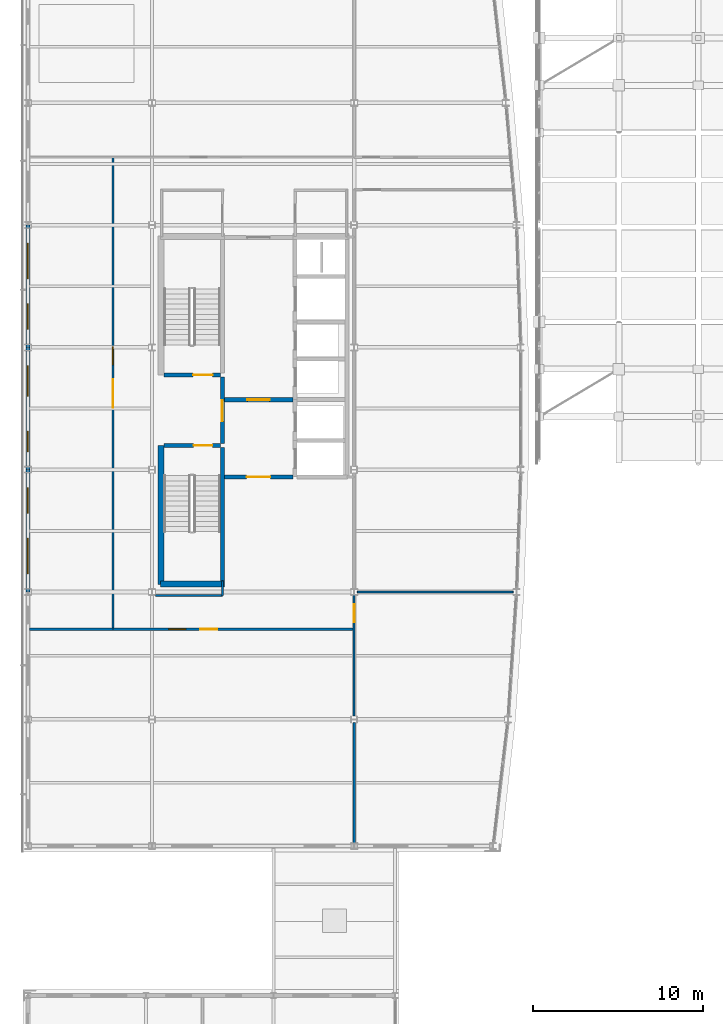
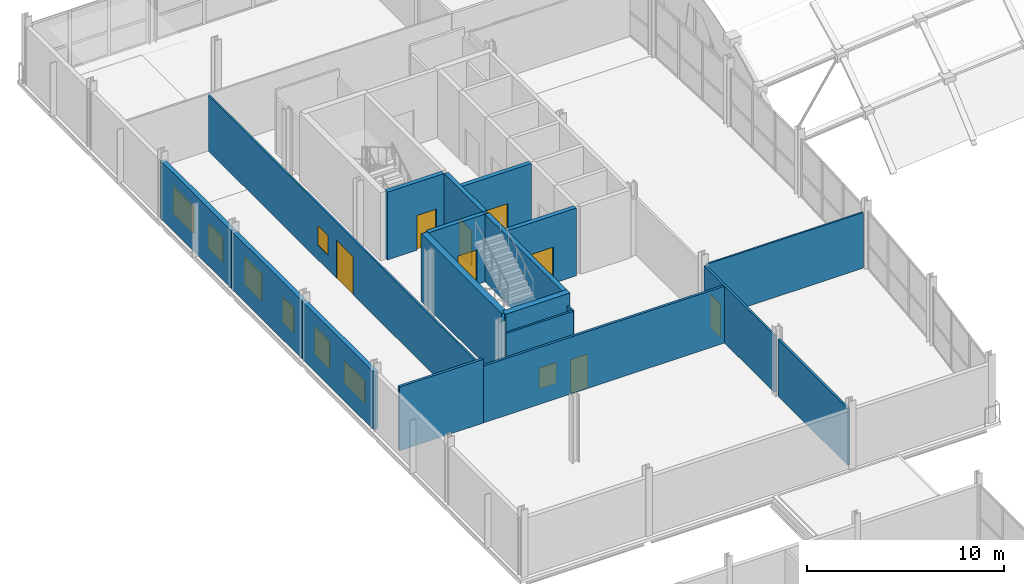
# One storey, part 54 of 65: 19 walls, 8 doors, 8 windows, 16 openings.
"""IFC4 building model written with IfcOpenShell, lengths in metres."""

from ifc_helpers import new_model, si_unit, direction, frame, frame_2d, origin, place, context, subcontext, project, spatial, rectangle, extrude, material, layer, layer_set, type_object, element, fill, save


model = new_model("IFC4")

# Units and contexts
model_context = context("Model", 3, precision=1e-05, world=origin(), true_north=direction((0.0, 1.0)))
body_context = subcontext(model_context, "Body", "Model", "MODEL_VIEW")
ifc_project = project(units=[si_unit("LENGTHUNIT", "METRE"), si_unit("AREAUNIT", "SQUARE_METRE"), si_unit("VOLUMEUNIT", "CUBIC_METRE"), si_unit("PLANEANGLEUNIT", "RADIAN"), si_unit("MASSUNIT", "GRAM", prefix="KILO")], contexts=[model_context])

# Site, building, storey
site_placement = place(None, origin())
site = spatial("IfcSite", under=ifc_project, at=site_placement, CompositionType="ELEMENT")
building_placement = place(site_placement, origin())
building = spatial("IfcBuilding", under=site, at=building_placement, Name="Quillay Park Conservatory", CompositionType="ELEMENT")
storey_placement = place(building_placement, frame((0.0, 0.0, 14.10009765625)))
storey = spatial("IfcBuildingStorey", under=building, at=storey_placement, Name="L03", CompositionType="ELEMENT", Elevation=14.10009765625)

# Wall
ifc_material_1 = material(Name="Steel-Stud Acoustic Gypsum Board Partition", Category="steel")
ifc_layer_1 = layer(ifc_material_1, 0.10009765625)
ifc_layer_set_1 = layer_set([ifc_layer_1], Name="ACOUSTIC GYPSUM PARTITION 100 (Steel-Stud Acoustic Gypsum Board Partition)")
wall_type_1 = type_object("IfcWallType", Name="ACOUSTIC GYPSUM PARTITION 100", PredefinedType="PARTITIONING", material=ifc_layer_set_1)
wall_1_placement = place(storey_placement, frame((29.107421875, 78.0, 0.0), z_axis=(0.0, 0.0, 1.0), x_axis=(-1.0, 0.0, 0.0)))
element("IfcWall", 1, at=wall_1_placement, inside=storey, type_object=wall_type_1, Name="L03 East Strip South Wall", PredefinedType="PARTITIONING", context=body_context, shape_type="SweptSolid", body=[
    extrude(rectangle(XDim=9.1650390625, YDim=0.10009765625, at=frame_2d((4.58251953125, 0.0))), origin(), (0.0, 0.0, 1.0), 3.450927734375),
])

# Wall, openings, window, door
ifc_material_2 = material(Name="Steel-Stud Acoustic Gypsum Board Partition", Category="steel")
ifc_layer_2 = layer(ifc_material_2, 0.10498046875)
ifc_layer_set_2 = layer_set([ifc_layer_2], Name="ACOUSTIC GYPSUM PARTITION 105 (Steel-Stud Acoustic Gypsum Board Partition)")
wall_type_2 = type_object("IfcWallType", Name="ACOUSTIC GYPSUM PARTITION 105", PredefinedType="PARTITIONING", material=ifc_layer_set_2)
wall_2_placement = place(storey_placement, frame((5.550048828125, 75.800048828125, 0.0), z_axis=(0.0, 0.0, 1.0), x_axis=(0.0, 1.0, 0.0)))
wall_2 = element("IfcWall", 2, at=wall_2_placement, inside=storey, type_object=wall_type_2, Name="L03 Phytochemistry Researcher Write-Up Studio Corridor Wall", PredefinedType="PARTITIONING", context=body_context, shape_type="SweptSolid", body=[
    extrude(rectangle(XDim=27.800048828125, YDim=0.10498046875, at=frame_2d((13.89990234375, 0.0))), origin(), (0.0, 0.0, 1.0), 3.450927734375),
])
opening_1_placement = place(wall_2_placement, frame((13.06005859375, 0.0, 0.0)))
opening_1 = element("IfcOpeningElement", 3, at=opening_1_placement, cuts=wall_2, Name="Opening D-RM38", PredefinedType="OPENING", context=body_context, shape_type="SweptSolid", body=[
    extrude(rectangle(XDim=1.679931640625, YDim=2.35009765625, at=frame_2d((0.83984375, 1.175048828125))), frame((0.0, 0.052490234375, 0.0), z_axis=(0.0, -1.0, 0.0), x_axis=(1.0, 0.0, 0.0)), (0.0, 0.0, 1.0), 0.10498046875),
])
opening_2_placement = place(wall_2_placement, frame((15.590087890625, 0.0, 0.919921875)))
opening_2 = element("IfcOpeningElement", 4, at=opening_2_placement, cuts=wall_2, Name="Opening W-IN06", PredefinedType="OPENING", context=body_context, shape_type="SweptSolid", body=[
    extrude(rectangle(XDim=1.050048828125, YDim=1.199951171875, at=frame_2d((0.52490234375, 0.60009765625))), frame((0.0, 0.052490234375, 0.0), z_axis=(0.0, -1.0, 0.0), x_axis=(1.0, 0.0, 0.0)), (0.0, 0.0, 1.0), 0.10498046875),
])
ifc_material_3 = material(Name="Low-E Double Glazing (Laminated Tempered)", Category="glass")
window_type_1 = type_object("IfcWindowType", Name="OPERABLE VENT WINDOW 1050 X1200", PartitioningType="SINGLE_PANEL", PredefinedType="WINDOW", material=ifc_material_3)
window_1_placement = place(opening_2_placement, origin())
window_1 = element("IfcWindow", 5, at=window_1_placement, inside=storey, type_object=window_type_1, Name="L03 Laboratory Vision Panel 018", OverallHeight=1.199951171875, OverallWidth=1.050048828125, PartitioningType="SINGLE_PANEL", PredefinedType="WINDOW", context=body_context, shape_type="SweptSolid", body=[
    extrude(rectangle(XDim=1.050048828125, YDim=1.199951171875, at=frame_2d((0.52490234375, 0.60009765625))), frame((0.0, 0.030029296875, 0.0), z_axis=(0.0, -1.0, 0.0), x_axis=(1.0, 0.0, 0.0)), (0.0, 0.0, 1.0), 0.06005859375),
])
fill(opening_2, window_1)
ifc_material_4 = material(Name="Thermally Broken Anodised Aluminium 6063-T6", Category="aluminium")
door_type_1 = type_object("IfcDoorType", Name="SINGLE SWING DOOR 1680 X2350", OperationType="NOTDEFINED", PredefinedType="DOOR", material=ifc_material_4)
door_1_placement = place(opening_1_placement, origin())
door_1 = element("IfcDoor", 6, at=door_1_placement, inside=storey, type_object=door_type_1, Name="L03 Door to Phytochemistry Researcher Write-Up Studio", OperationType="SINGLE_SWING_RIGHT", OverallHeight=2.35009765625, OverallWidth=1.679931640625, PredefinedType="DOOR", context=body_context, shape_type="SweptSolid", body=[
    extrude(rectangle(XDim=1.679931640625, YDim=2.35009765625, at=frame_2d((0.83984375, 1.175048828125))), frame((0.0, 0.02490234375, 0.0), z_axis=(0.0, -1.0, 0.0), x_axis=(1.0, 0.0, 0.0)), (0.0, 0.0, 1.0), 0.050048828125),
])
fill(opening_1, door_1)

# Walls
ifc_material_5 = material(Name="Steel-Stud Acoustic Gypsum Board Partition", Category="steel")
ifc_layer_3 = layer(ifc_material_5, 0.114990234375)
ifc_layer_set_3 = layer_set([ifc_layer_3], Name="ACOUSTIC GYPSUM PARTITION 115 (Steel-Stud Acoustic Gypsum Board Partition)")
wall_type_3 = type_object("IfcWallType", Name="ACOUSTIC GYPSUM PARTITION 115", PredefinedType="PARTITIONING", material=ifc_layer_set_3)
wall_3_placement = place(storey_placement, frame((12.0, 77.800048828125, 0.0), z_axis=(0.0, 0.0, 1.0), x_axis=(0.0, 1.0, 0.0)))
element("IfcWall", 7, at=wall_3_placement, inside=storey, type_object=wall_type_3, Name="L03 Core South Vestibule West Wall", PredefinedType="PARTITIONING", context=body_context, shape_type="SweptSolid", body=[
    extrude(rectangle(XDim=0.849853515625, YDim=0.114990234375, at=frame_2d((0.4248046875, 0.0))), origin(), (0.0, 0.0, 1.0), 3.450927734375),
])
ifc_material_6 = material(Name="Steel-Stud Acoustic Gypsum Board Partition", Category="steel")
ifc_layer_4 = layer(ifc_material_6, 0.1201171875)
ifc_layer_set_4 = layer_set([ifc_layer_4], Name="ACOUSTIC GYPSUM PARTITION 120 (Steel-Stud Acoustic Gypsum Board Partition)")
wall_type_4 = type_object("IfcWallType", Name="ACOUSTIC GYPSUM PARTITION 120", PredefinedType="PARTITIONING", material=ifc_layer_set_4)
wall_4_placement = place(storey_placement, frame((8.04248046875, 77.800048828125, 0.0), z_axis=(0.0, 0.0, 1.0), x_axis=(1.0, 0.0, 0.0)))
element("IfcWall", 8, at=wall_4_placement, inside=storey, type_object=wall_type_4, Name="L03 Core South-West Return", PredefinedType="PARTITIONING", context=body_context, shape_type="SweptSolid", body=[
    extrude(rectangle(XDim=3.95751953125, YDim=0.1201171875, at=frame_2d((1.978759765625, 0.0))), origin(), (0.0, 0.0, 1.0), 3.450927734375),
])

# Wall, opening, door
ifc_material_7 = material(Name="Steel-Stud Acoustic Gypsum Board Partition", Category="steel")
ifc_layer_5 = layer(ifc_material_7, 0.125)
ifc_layer_set_5 = layer_set([ifc_layer_5], Name="ACOUSTIC GYPSUM PARTITION 125 (Steel-Stud Acoustic Gypsum Board Partition)")
wall_type_5 = type_object("IfcWallType", Name="ACOUSTIC GYPSUM PARTITION 125", PredefinedType="PARTITIONING", material=ifc_layer_set_5)
wall_5_placement = place(storey_placement, frame((19.75, 70.6923828125, 0.0), z_axis=(0.0, 0.0, 1.0), x_axis=(0.0, 1.0, 0.0)))
wall_5 = element("IfcWall", 9, at=wall_5_placement, inside=storey, type_object=wall_type_5, Name="L03 Natural Products NMR Spectroscopy Room West Door Wall", PredefinedType="PARTITIONING", context=body_context, shape_type="SweptSolid", body=[
    extrude(rectangle(XDim=7.12255859375, YDim=0.125, at=frame_2d((3.561279296875, 0.0))), origin(), (0.0, 0.0, 1.0), 3.52685546875),
])
opening_3_placement = place(wall_5_placement, frame((5.532470703125, 0.0, 0.0)))
opening_3 = element("IfcOpeningElement", 10, at=opening_3_placement, cuts=wall_5, Name="Opening D-RM05", PredefinedType="OPENING", context=body_context, shape_type="SweptSolid", body=[
    extrude(rectangle(XDim=1.050048828125, YDim=2.10009765625, at=frame_2d((0.52490234375, 1.050048828125))), frame((0.0, 0.0625, 0.0), z_axis=(0.0, -1.0, 0.0), x_axis=(1.0, 0.0, 0.0)), (0.0, 0.0, 1.0), 0.125),
])
ifc_material_8 = material(Name="Thermally Broken Anodised Aluminium 6063-T6", Category="aluminium")
door_type_2 = type_object("IfcDoorType", Name="SINGLE SWING DOOR 1050 X2100", OperationType="NOTDEFINED", PredefinedType="DOOR", material=ifc_material_8)
door_2_placement = place(opening_3_placement, origin())
door_2 = element("IfcDoor", 11, at=door_2_placement, inside=storey, type_object=door_type_2, Name="L03 Door to Natural Products NMR Spectroscopy Room", OperationType="SINGLE_SWING_LEFT", OverallHeight=2.10009765625, OverallWidth=1.050048828125, PredefinedType="DOOR", context=body_context, shape_type="SweptSolid", body=[
    extrude(rectangle(XDim=1.050048828125, YDim=2.10009765625, at=frame_2d((0.52490234375, 1.050048828125))), frame((0.0, 0.02490234375, 0.0), z_axis=(0.0, -1.0, 0.0), x_axis=(1.0, 0.0, 0.0)), (0.0, 0.0, 1.0), 0.050048828125),
])
fill(opening_3, door_2)

# Wall
ifc_material_9 = material(Name="Steel-Stud Acoustic Gypsum Board Partition", Category="steel")
ifc_layer_6 = layer(ifc_material_9, 0.1298828125)
ifc_layer_set_6 = layer_set([ifc_layer_6], Name="ACOUSTIC GYPSUM PARTITION 130 (Steel-Stud Acoustic Gypsum Board Partition)")
wall_type_6 = type_object("IfcWallType", Name="ACOUSTIC GYPSUM PARTITION 130", PredefinedType="PARTITIONING", material=ifc_layer_set_6)
wall_6_placement = place(storey_placement, frame((19.75, 63.235107421875, 0.0), z_axis=(0.0, 0.0, 1.0), x_axis=(0.0, 1.0, 0.0)))
element("IfcWall", 12, at=wall_6_placement, inside=storey, type_object=wall_type_6, Name="L03 Natural Products NMR Spectroscopy Room West Wall S", PredefinedType="PARTITIONING", context=body_context, shape_type="SweptSolid", body=[
    extrude(rectangle(XDim=7.072509765625, YDim=0.1298828125, at=frame_2d((3.5361328125, 0.0))), origin(), (0.0, 0.0, 1.0), 3.52685546875),
])

# Wall, openings, window, door
ifc_material_10 = material(Name="Steel-Stud Acoustic Gypsum Board Partition", Category="steel")
ifc_layer_7 = layer(ifc_material_10, 0.139892578125)
ifc_layer_set_7 = layer_set([ifc_layer_7], Name="ACOUSTIC GYPSUM PARTITION 140 (Steel-Stud Acoustic Gypsum Board Partition)")
wall_type_7 = type_object("IfcWallType", Name="ACOUSTIC GYPSUM PARTITION 140", PredefinedType="PARTITIONING", material=ifc_layer_set_7)
wall_7_placement = place(storey_placement, frame((19.75, 75.800048828125, 0.0), z_axis=(0.0, 0.0, 1.0), x_axis=(-1.0, 0.0, 0.0)))
wall_7 = element("IfcWall", 13, at=wall_7_placement, inside=storey, type_object=wall_type_7, Name="L03 Phytochemistry Extraction Research Laboratory North Door Wall", PredefinedType="PARTITIONING", context=body_context, shape_type="SweptSolid", body=[
    extrude(rectangle(XDim=14.199951171875, YDim=0.139892578125, at=frame_2d((7.10009765625, 0.0))), origin(), (0.0, 0.0, 1.0), 3.52685546875),
])
opening_4_placement = place(wall_7_placement, frame((8.050048828125, 0.0, 0.0)))
opening_4 = element("IfcOpeningElement", 14, at=opening_4_placement, cuts=wall_7, Name="Opening D-RM04", PredefinedType="OPENING", context=body_context, shape_type="SweptSolid", body=[
    extrude(rectangle(XDim=1.0, YDim=2.10009765625, at=frame_2d((0.5, 1.050048828125))), frame((0.0, 0.06982421875, 0.0), z_axis=(0.0, -1.0, 0.0), x_axis=(1.0, 0.0, 0.0)), (0.0, 0.0, 1.0), 0.139892578125),
])
opening_5_placement = place(wall_7_placement, frame((9.89990234375, 0.0, 0.919921875)))
opening_5 = element("IfcOpeningElement", 15, at=opening_5_placement, cuts=wall_7, Name="Opening W-IN09", PredefinedType="OPENING", context=body_context, shape_type="SweptSolid", body=[
    extrude(rectangle(XDim=1.0, YDim=1.300048828125, at=frame_2d((0.5, 0.64990234375))), frame((0.0, 0.06982421875, 0.0), z_axis=(0.0, -1.0, 0.0), x_axis=(1.0, 0.0, 0.0)), (0.0, 0.0, 1.0), 0.139892578125),
])
ifc_material_11 = material(Name="Low-E Double Glazing (Laminated Tempered)", Category="glass")
window_type_2 = type_object("IfcWindowType", Name="OPERABLE VENT WINDOW 1000 X1300", PartitioningType="SINGLE_PANEL", PredefinedType="WINDOW", material=ifc_material_11)
window_2_placement = place(opening_5_placement, origin())
window_2 = element("IfcWindow", 16, at=window_2_placement, inside=storey, type_object=window_type_2, Name="L03 Laboratory Vision Panel 021", OverallHeight=1.300048828125, OverallWidth=1.0, PartitioningType="SINGLE_PANEL", PredefinedType="WINDOW", context=body_context, shape_type="SweptSolid", body=[
    extrude(rectangle(XDim=1.0, YDim=1.300048828125, at=frame_2d((0.5, 0.64990234375))), frame((0.0, 0.030029296875, 0.0), z_axis=(0.0, -1.0, 0.0), x_axis=(1.0, 0.0, 0.0)), (0.0, 0.0, 1.0), 0.06005859375),
])
fill(opening_5, window_2)
ifc_material_12 = material(Name="Thermally Broken Anodised Aluminium 6063-T6", Category="aluminium")
door_type_3 = type_object("IfcDoorType", Name="SINGLE SWING DOOR 1000 X2100", OperationType="NOTDEFINED", PredefinedType="DOOR", material=ifc_material_12)
door_3_placement = place(opening_4_placement, origin())
door_3 = element("IfcDoor", 17, at=door_3_placement, inside=storey, type_object=door_type_3, Name="L03 Door to Phytochemistry Extraction Research Laboratory", OperationType="SINGLE_SWING_RIGHT", OverallHeight=2.10009765625, OverallWidth=1.0, PredefinedType="DOOR", context=body_context, shape_type="SweptSolid", body=[
    extrude(rectangle(XDim=1.0, YDim=2.10009765625, at=frame_2d((0.5, 1.050048828125))), frame((0.0, 0.02490234375, 0.0), z_axis=(0.0, -1.0, 0.0), x_axis=(1.0, 0.0, 0.0)), (0.0, 0.0, 1.0), 0.050048828125),
])
fill(opening_4, door_3)

# Walls
ifc_material_13 = material(Name="Steel-Stud Acoustic Gypsum Board Partition", Category="steel")
ifc_layer_8 = layer(ifc_material_13, 0.14990234375)
ifc_layer_set_8 = layer_set([ifc_layer_8], Name="ACOUSTIC GYPSUM PARTITION 150 (Steel-Stud Acoustic Gypsum Board Partition)")
wall_type_8 = type_object("IfcWallType", Name="ACOUSTIC GYPSUM PARTITION 150", PredefinedType="PARTITIONING", material=ifc_layer_set_8)
wall_8_placement = place(storey_placement, frame((0.64990234375, 75.800048828125, 0.0), z_axis=(0.0, 0.0, 1.0), x_axis=(1.0, 0.0, 0.0)))
element("IfcWall", 18, at=wall_8_placement, inside=storey, type_object=wall_type_8, Name="L03 Phytochemistry Extraction Research Laboratory North-West Wall", PredefinedType="PARTITIONING", context=body_context, shape_type="SweptSolid", body=[
    extrude(rectangle(XDim=4.900146484375, YDim=0.14990234375, at=frame_2d((2.4501953125, 0.0))), origin(), (0.0, 0.0, 1.0), 3.949951171875),
])
ifc_material_14 = material(Name="Concrete C40/50 (NCh170 Concrete C40/50)", Category="concrete")
ifc_layer_9 = layer(ifc_material_14, 0.25)
ifc_layer_set_9 = layer_set([ifc_layer_9], Name="CORE SHEAR WALL 250 (Concrete C40/50 (NCh170 Concrete C40/50))")
wall_type_9 = type_object("IfcWallType", Name="CORE SHEAR WALL 250", PredefinedType="SHEAR", material=ifc_layer_set_9)
wall_9_placement = place(storey_placement, frame((11.9951171875, 78.64990234375, 0.0), z_axis=(0.0, 0.0, 1.0), x_axis=(0.0, 1.0, 0.0)))
element("IfcWall", 19, at=wall_9_placement, inside=storey, type_object=wall_type_9, Name="L03 Core Shear Wall WL-T2E-L03", PredefinedType="SHEAR", context=body_context, shape_type="SweptSolid", body=[
    extrude(rectangle(XDim=7.85009765625, YDim=0.25, at=frame_2d((3.925048828125, 0.0))), origin(), (0.0, 0.0, 1.0), 4.199951171875),
])

# Wall, opening, door
wall_10_placement = place(storey_placement, frame((11.9951171875, 86.75, 0.0), z_axis=(0.0, 0.0, 1.0), x_axis=(0.0, 1.0, 0.0)))
wall_10 = element("IfcWall", 20, at=wall_10_placement, inside=storey, type_object=wall_type_9, Name="L03 Core Shear Wall WL-FFW-L03", PredefinedType="SHEAR", context=body_context, shape_type="SweptSolid", body=[
    extrude(rectangle(XDim=3.89990234375, YDim=0.25, at=frame_2d((1.949951171875, 0.0))), origin(), (0.0, 0.0, 1.0), 4.199951171875),
])
opening_6_placement = place(wall_10_placement, frame((1.300048828125, 0.0, 0.0)))
opening_6 = element("IfcOpeningElement", 21, at=opening_6_placement, cuts=wall_10, Name="Opening D-LB01", PredefinedType="OPENING", context=body_context, shape_type="SweptSolid", body=[
    extrude(rectangle(XDim=1.25, YDim=2.199951171875, at=frame_2d((0.625, 1.10009765625))), frame((0.0, 0.125, 0.0), z_axis=(0.0, -1.0, 0.0), x_axis=(1.0, 0.0, 0.0)), (0.0, 0.0, 1.0), 0.25),
])
ifc_material_15 = material(Name="Steel ASTM A572 Grade 50", Category="steel")
door_type_4 = type_object("IfcDoorType", Name="FIRE RATED LOBBY DOOR 1250 X2200", OperationType="NOTDEFINED", PredefinedType="DOOR", material=ifc_material_15)
door_4_placement = place(opening_6_placement, origin())
door_4 = element("IfcDoor", 22, at=door_4_placement, inside=storey, type_object=door_type_4, Name="L03 Firefighting Lobby Corridor Door", OperationType="SINGLE_SWING_LEFT", OverallHeight=2.199951171875, OverallWidth=1.25, PredefinedType="DOOR", context=body_context, shape_type="SweptSolid", body=[
    extrude(rectangle(XDim=1.25, YDim=2.199951171875, at=frame_2d((0.625, 1.10009765625))), frame((0.0, 0.02490234375, 0.0), z_axis=(0.0, -1.0, 0.0), x_axis=(1.0, 0.0, 0.0)), (0.0, 0.0, 1.0), 0.050048828125),
])
fill(opening_6, door_4)

wall_11_placement = place(storey_placement, frame((8.550048828125, 86.625, 0.0), z_axis=(0.0, 0.0, 1.0), x_axis=(1.0, 0.0, 0.0)))
wall_11 = element("IfcWall", 23, at=wall_11_placement, inside=storey, type_object=wall_type_9, Name="L03 Core Shear Wall WL-ST2D-L03", PredefinedType="SHEAR", context=body_context, shape_type="SweptSolid", body=[
    extrude(rectangle(XDim=3.320068359375, YDim=0.25, at=frame_2d((1.66015625, 0.0))), origin(), (0.0, 0.0, 1.0), 4.199951171875),
])
opening_7_placement = place(wall_11_placement, frame((1.75, 0.0, 0.0)))
opening_7 = element("IfcOpeningElement", 24, at=opening_7_placement, cuts=wall_11, Name="Opening D-ST01", PredefinedType="OPENING", context=body_context, shape_type="SweptSolid", body=[
    extrude(rectangle(XDim=1.10009765625, YDim=2.14990234375, at=frame_2d((0.550048828125, 1.074951171875))), frame((0.0, 0.125, 0.0), z_axis=(0.0, -1.0, 0.0), x_axis=(1.0, 0.0, 0.0)), (0.0, 0.0, 1.0), 0.25),
])
ifc_material_16 = material(Name="Steel ASTM A572 Grade 50", Category="steel")
door_type_5 = type_object("IfcDoorType", Name="FIRE RATED STAIR DOOR 1100 X2150", OperationType="NOTDEFINED", PredefinedType="DOOR", material=ifc_material_16)
door_5_placement = place(opening_7_placement, origin())
door_5 = element("IfcDoor", 25, at=door_5_placement, inside=storey, type_object=door_type_5, Name="L03 Protected Stair ST-T2 Door", OperationType="SINGLE_SWING_LEFT", OverallHeight=2.14990234375, OverallWidth=1.10009765625, PredefinedType="DOOR", context=body_context, shape_type="SweptSolid", body=[
    extrude(rectangle(XDim=1.10009765625, YDim=2.14990234375, at=frame_2d((0.550048828125, 1.074951171875))), frame((0.0, 0.02490234375, 0.0), z_axis=(0.0, -1.0, 0.0), x_axis=(1.0, 0.0, 0.0)), (0.0, 0.0, 1.0), 0.050048828125),
])
fill(opening_7, door_5)

wall_12_placement = place(storey_placement, frame((11.8701171875, 90.77490234375, 0.0), z_axis=(0.0, 0.0, 1.0), x_axis=(-1.0, 0.0, 0.0)))
wall_12 = element("IfcWall", 26, at=wall_12_placement, inside=storey, type_object=wall_type_9, Name="L03 Core Shear Wall WL-ST1D-L03", PredefinedType="SHEAR", context=body_context, shape_type="SweptSolid", body=[
    extrude(rectangle(XDim=3.320068359375, YDim=0.25, at=frame_2d((1.66015625, 0.0))), origin(), (0.0, 0.0, 1.0), 4.199951171875),
])
opening_8_placement = place(wall_12_placement, frame((0.449951171875, 0.0, 0.0)))
opening_8 = element("IfcOpeningElement", 27, at=opening_8_placement, cuts=wall_12, Name="Opening D-ST02", PredefinedType="OPENING", context=body_context, shape_type="SweptSolid", body=[
    extrude(rectangle(XDim=1.14990234375, YDim=2.14990234375, at=frame_2d((0.574951171875, 1.074951171875))), frame((0.0, 0.125, 0.0), z_axis=(0.0, -1.0, 0.0), x_axis=(1.0, 0.0, 0.0)), (0.0, 0.0, 1.0), 0.25),
])
ifc_material_17 = material(Name="Steel ASTM A572 Grade 50", Category="steel")
door_type_6 = type_object("IfcDoorType", Name="FIRE RATED STAIR DOOR 1150 X2150", OperationType="NOTDEFINED", PredefinedType="DOOR", material=ifc_material_17)
door_6_placement = place(opening_8_placement, origin())
door_6 = element("IfcDoor", 28, at=door_6_placement, inside=storey, type_object=door_type_6, Name="L03 Protected Stair ST-T1 Door", OperationType="SINGLE_SWING_RIGHT", OverallHeight=2.14990234375, OverallWidth=1.14990234375, PredefinedType="DOOR", context=body_context, shape_type="SweptSolid", body=[
    extrude(rectangle(XDim=1.14990234375, YDim=2.14990234375, at=frame_2d((0.574951171875, 1.074951171875))), frame((0.0, 0.02490234375, 0.0), z_axis=(0.0, -1.0, 0.0), x_axis=(1.0, 0.0, 0.0)), (0.0, 0.0, 1.0), 0.050048828125),
])
fill(opening_8, door_6)

wall_13_placement = place(storey_placement, frame((12.1201171875, 89.324951171875, 0.0), z_axis=(0.0, 0.0, 1.0), x_axis=(1.0, 0.0, 0.0)))
wall_13 = element("IfcWall", 29, at=wall_13_placement, inside=storey, type_object=wall_type_9, Name="L03 Core Shear Wall WL-FFDIV-L03", PredefinedType="SHEAR", context=body_context, shape_type="SweptSolid", body=[
    extrude(rectangle(XDim=4.02978515625, YDim=0.25, at=frame_2d((2.014892578125, 0.0))), origin(), (0.0, 0.0, 1.0), 4.199951171875),
])
opening_9_placement = place(wall_13_placement, frame((1.35009765625, 0.0, 0.0)))
opening_9 = element("IfcOpeningElement", 30, at=opening_9_placement, cuts=wall_13, Name="Opening D-LB02", PredefinedType="OPENING", context=body_context, shape_type="SweptSolid", body=[
    extrude(rectangle(XDim=1.300048828125, YDim=2.199951171875, at=frame_2d((0.64990234375, 1.10009765625))), frame((0.0, 0.125, 0.0), z_axis=(0.0, -1.0, 0.0), x_axis=(1.0, 0.0, 0.0)), (0.0, 0.0, 1.0), 0.25),
])
ifc_material_18 = material(Name="Steel ASTM A572 Grade 50", Category="steel")
door_type_7 = type_object("IfcDoorType", Name="FIRE RATED LOBBY DOOR 1300 X2200", OperationType="NOTDEFINED", PredefinedType="DOOR", material=ifc_material_18)
door_7_placement = place(opening_9_placement, origin())
door_7 = element("IfcDoor", 31, at=door_7_placement, inside=storey, type_object=door_type_7, Name="L03 Firefighting to Passenger Lobby Door", OperationType="SINGLE_SWING_LEFT", OverallHeight=2.199951171875, OverallWidth=1.300048828125, PredefinedType="DOOR", context=body_context, shape_type="SweptSolid", body=[
    extrude(rectangle(XDim=1.300048828125, YDim=2.199951171875, at=frame_2d((0.64990234375, 1.10009765625))), frame((0.0, 0.02490234375, 0.0), z_axis=(0.0, -1.0, 0.0), x_axis=(1.0, 0.0, 0.0)), (0.0, 0.0, 1.0), 0.050048828125),
])
fill(opening_9, door_7)

wall_14_placement = place(storey_placement, frame((12.1201171875, 84.77490234375, 0.0), z_axis=(0.0, 0.0, 1.0), x_axis=(1.0, 0.0, 0.0)))
wall_14 = element("IfcWall", 32, at=wall_14_placement, inside=storey, type_object=wall_type_9, Name="L03 Core Shear Wall WL-FFS-L03", PredefinedType="SHEAR", context=body_context, shape_type="SweptSolid", body=[
    extrude(rectangle(XDim=4.02978515625, YDim=0.25, at=frame_2d((2.014892578125, 0.0))), origin(), (0.0, 0.0, 1.0), 4.199951171875),
])
opening_10_placement = place(wall_14_placement, frame((1.300048828125, 0.0, 0.0)))
opening_10 = element("IfcOpeningElement", 33, at=opening_10_placement, cuts=wall_14, Name="Opening D-LB03", PredefinedType="OPENING", context=body_context, shape_type="SweptSolid", body=[
    extrude(rectangle(XDim=1.39990234375, YDim=2.25, at=frame_2d((0.699951171875, 1.125))), frame((0.0, 0.125, 0.0), z_axis=(0.0, -1.0, 0.0), x_axis=(1.0, 0.0, 0.0)), (0.0, 0.0, 1.0), 0.25),
])
ifc_material_19 = material(Name="Steel ASTM A572 Grade 50", Category="steel")
door_type_8 = type_object("IfcDoorType", Name="FIRE RATED LOBBY DOOR 1400 X2250", OperationType="NOTDEFINED", PredefinedType="DOOR", material=ifc_material_19)
door_8_placement = place(opening_10_placement, origin())
door_8 = element("IfcDoor", 34, at=door_8_placement, inside=storey, type_object=door_type_8, Name="L03 South Core Lobby Door", OperationType="SINGLE_SWING_RIGHT", OverallHeight=2.25, OverallWidth=1.39990234375, PredefinedType="DOOR", context=body_context, shape_type="SweptSolid", body=[
    extrude(rectangle(XDim=1.39990234375, YDim=2.25, at=frame_2d((0.699951171875, 1.125))), frame((0.0, 0.02490234375, 0.0), z_axis=(0.0, -1.0, 0.0), x_axis=(1.0, 0.0, 0.0)), (0.0, 0.0, 1.0), 0.050048828125),
])
fill(opening_10, door_8)

# Walls
ifc_material_20 = material(Name="Concrete C40/50 (NCh170 Concrete C40/50)", Category="concrete")
ifc_layer_10 = layer(ifc_material_20, 0.35009765625)
ifc_layer_set_10 = layer_set([ifc_layer_10], Name="CORE SHEAR WALL 350 (Concrete C40/50 (NCh170 Concrete C40/50))")
wall_type_10 = type_object("IfcWallType", Name="CORE SHEAR WALL 350", PredefinedType="SHEAR", material=ifc_layer_set_10)
wall_15_placement = place(storey_placement, frame((8.375, 78.449951171875, 0.0), z_axis=(0.0, 0.0, 1.0), x_axis=(0.0, 1.0, 0.0)))
element("IfcWall", 35, at=wall_15_placement, inside=storey, type_object=wall_type_10, Name="L03 Core Shear Wall WL-TCW-S-L03", PredefinedType="SHEAR", context=body_context, shape_type="SweptSolid", body=[
    extrude(rectangle(XDim=8.175048828125, YDim=0.35009765625, at=frame_2d((4.08740234375, 0.0))), origin(), (0.0, 0.0, 1.0), 4.199951171875),
])
wall_16_placement = place(storey_placement, frame((8.35009765625, 78.47509765625, 0.0), z_axis=(0.0, 0.0, 1.0), x_axis=(1.0, 0.0, 0.0)))
element("IfcWall", 36, at=wall_16_placement, inside=storey, type_object=wall_type_10, Name="L03 Core Shear Wall WL-TCS-L03", PredefinedType="SHEAR", context=body_context, shape_type="SweptSolid", body=[
    extrude(rectangle(XDim=3.77001953125, YDim=0.35009765625, at=frame_2d((1.885009765625, 0.0))), origin(), (0.0, 0.0, 1.0), 4.199951171875),
])

# Wall, openings, windows
ifc_material_21 = material(Name="Glass-Fibre Reinforced Concrete (GRC) Cladding", Category="concrete")
ifc_layer_11 = layer(ifc_material_21, 0.260009765625)
ifc_layer_set_11 = layer_set([ifc_layer_11], Name="EXTERIOR SOLID WALL 260 (Glass-Fibre Reinforced Concrete (GRC) Cladding)")
wall_type_11 = type_object("IfcWallType", Name="EXTERIOR SOLID WALL 260", PredefinedType="SOLIDWALL", material=ifc_layer_set_11)
wall_17_placement = place(storey_placement, frame((0.550048828125, 78.0, 0.0), z_axis=(0.0, 0.0, 1.0), x_axis=(0.0, 1.0, 0.0)))
wall_17 = element("IfcWall", 37, at=wall_17_placement, inside=storey, type_object=wall_type_11, Name="L03 External Wall WL-EXT-V4W-L03-2", PredefinedType="SOLIDWALL", context=body_context, shape_type="SweptSolid", body=[
    extrude(rectangle(XDim=7.199951171875, YDim=0.260009765625, at=frame_2d((3.60009765625, 0.0))), origin(), (0.0, 0.0, 1.0), 3.576904296875),
])
opening_11_placement = place(wall_17_placement, frame((1.070068359375, 0.0, 0.919921875)))
opening_11 = element("IfcOpeningElement", 38, at=opening_11_placement, cuts=wall_17, Name="Opening W-06", PredefinedType="OPENING", context=body_context, shape_type="SweptSolid", body=[
    extrude(rectangle(XDim=2.10009765625, YDim=1.39990234375, at=frame_2d((1.050048828125, 0.699951171875))), frame((0.0, 0.1298828125, 0.0), z_axis=(0.0, -1.0, 0.0), x_axis=(1.0, 0.0, 0.0)), (0.0, 0.0, 1.0), 0.260009765625),
])
opening_12_placement = place(wall_17_placement, frame((4.6298828125, 0.0, 0.919921875)))
opening_12 = element("IfcOpeningElement", 39, at=opening_12_placement, cuts=wall_17, Name="Opening W-13", PredefinedType="OPENING", context=body_context, shape_type="SweptSolid", body=[
    extrude(rectangle(XDim=1.5, YDim=1.699951171875, at=frame_2d((0.75, 0.85009765625))), frame((0.0, 0.1298828125, 0.0), z_axis=(0.0, -1.0, 0.0), x_axis=(1.0, 0.0, 0.0)), (0.0, 0.0, 1.0), 0.260009765625),
])
ifc_material_22 = material(Name="Low-E Double Glazing (Laminated Tempered)", Category="glass")
window_type_3 = type_object("IfcWindowType", Name="FIXED CASEMENT WINDOW 1500 X1700", PartitioningType="SINGLE_PANEL", PredefinedType="WINDOW", material=ifc_material_22)
window_3_placement = place(opening_12_placement, origin())
window_3 = element("IfcWindow", 40, at=window_3_placement, inside=storey, type_object=window_type_3, Name="L03 Exterior Window 0129", OverallHeight=1.699951171875, OverallWidth=1.5, PartitioningType="SINGLE_PANEL", PredefinedType="WINDOW", context=body_context, shape_type="SweptSolid", body=[
    extrude(rectangle(XDim=1.5, YDim=1.699951171875, at=frame_2d((0.75, 0.85009765625))), frame((0.0, 0.030029296875, 0.0), z_axis=(0.0, -1.0, 0.0), x_axis=(1.0, 0.0, 0.0)), (0.0, 0.0, 1.0), 0.06005859375),
])
fill(opening_12, window_3)
ifc_material_23 = material(Name="Low-E Double Glazing (Laminated Tempered)", Category="glass")
window_type_4 = type_object("IfcWindowType", Name="FIXED CASEMENT WINDOW 2100 X1400", PartitioningType="DOUBLE_PANEL_VERTICAL", PredefinedType="WINDOW", material=ifc_material_23)
window_4_placement = place(opening_11_placement, origin())
window_4 = element("IfcWindow", 41, at=window_4_placement, inside=storey, type_object=window_type_4, Name="L03 Exterior Window 0128", OverallHeight=1.39990234375, OverallWidth=2.10009765625, PartitioningType="DOUBLE_PANEL_VERTICAL", PredefinedType="WINDOW", context=body_context, shape_type="SweptSolid", body=[
    extrude(rectangle(XDim=2.10009765625, YDim=1.39990234375, at=frame_2d((1.050048828125, 0.699951171875))), frame((0.0, 0.030029296875, 0.0), z_axis=(0.0, -1.0, 0.0), x_axis=(1.0, 0.0, 0.0)), (0.0, 0.0, 1.0), 0.06005859375),
])
fill(opening_11, window_4)

wall_18_placement = place(storey_placement, frame((0.550048828125, 85.199951171875, 0.0), z_axis=(0.0, 0.0, 1.0), x_axis=(0.0, 1.0, 0.0)))
wall_18 = element("IfcWall", 42, at=wall_18_placement, inside=storey, type_object=wall_type_11, Name="L03 External Wall WL-EXT-V4W-L03-3", PredefinedType="SOLIDWALL", context=body_context, shape_type="SweptSolid", body=[
    extrude(rectangle(XDim=7.199951171875, YDim=0.260009765625, at=frame_2d((3.60009765625, 0.0))), origin(), (0.0, 0.0, 1.0), 3.576904296875),
])
opening_13_placement = place(wall_18_placement, frame((1.070068359375, 0.0, 0.919921875)))
opening_13 = element("IfcOpeningElement", 43, at=opening_13_placement, cuts=wall_18, Name="Opening W-07", PredefinedType="OPENING", context=body_context, shape_type="SweptSolid", body=[
    extrude(rectangle(XDim=1.199951171875, YDim=1.550048828125, at=frame_2d((0.60009765625, 0.77490234375))), frame((0.0, 0.1298828125, 0.0), z_axis=(0.0, -1.0, 0.0), x_axis=(1.0, 0.0, 0.0)), (0.0, 0.0, 1.0), 0.260009765625),
])
opening_14_placement = place(wall_18_placement, frame((4.330078125, 0.0, 0.919921875)))
opening_14 = element("IfcOpeningElement", 44, at=opening_14_placement, cuts=wall_18, Name="Opening W-14", PredefinedType="OPENING", context=body_context, shape_type="SweptSolid", body=[
    extrude(rectangle(XDim=1.800048828125, YDim=1.699951171875, at=frame_2d((0.89990234375, 0.85009765625))), frame((0.0, 0.1298828125, 0.0), z_axis=(0.0, -1.0, 0.0), x_axis=(1.0, 0.0, 0.0)), (0.0, 0.0, 1.0), 0.260009765625),
])
ifc_material_24 = material(Name="Low-E Double Glazing (Laminated Tempered)", Category="glass")
window_type_5 = type_object("IfcWindowType", Name="FIXED CASEMENT WINDOW 1200 X1550", PartitioningType="SINGLE_PANEL", PredefinedType="WINDOW", material=ifc_material_24)
window_5_placement = place(opening_13_placement, origin())
window_5 = element("IfcWindow", 45, at=window_5_placement, inside=storey, type_object=window_type_5, Name="L03 Exterior Window 0130", OverallHeight=1.550048828125, OverallWidth=1.199951171875, PartitioningType="SINGLE_PANEL", PredefinedType="WINDOW", context=body_context, shape_type="SweptSolid", body=[
    extrude(rectangle(XDim=1.199951171875, YDim=1.550048828125, at=frame_2d((0.60009765625, 0.77490234375))), frame((0.0, 0.030029296875, 0.0), z_axis=(0.0, -1.0, 0.0), x_axis=(1.0, 0.0, 0.0)), (0.0, 0.0, 1.0), 0.06005859375),
])
fill(opening_13, window_5)
ifc_material_25 = material(Name="Low-E Double Glazing (Laminated Tempered)", Category="glass")
window_type_6 = type_object("IfcWindowType", Name="FIXED CASEMENT WINDOW 1800 X1700", PartitioningType="DOUBLE_PANEL_VERTICAL", PredefinedType="WINDOW", material=ifc_material_25)
window_6_placement = place(opening_14_placement, origin())
window_6 = element("IfcWindow", 46, at=window_6_placement, inside=storey, type_object=window_type_6, Name="L03 Exterior Window 0131", OverallHeight=1.699951171875, OverallWidth=1.800048828125, PartitioningType="DOUBLE_PANEL_VERTICAL", PredefinedType="WINDOW", context=body_context, shape_type="SweptSolid", body=[
    extrude(rectangle(XDim=1.800048828125, YDim=1.699951171875, at=frame_2d((0.89990234375, 0.85009765625))), frame((0.0, 0.030029296875, 0.0), z_axis=(0.0, -1.0, 0.0), x_axis=(1.0, 0.0, 0.0)), (0.0, 0.0, 1.0), 0.06005859375),
])
fill(opening_14, window_6)

wall_19_placement = place(storey_placement, frame((0.550048828125, 92.39990234375, 0.0), z_axis=(0.0, 0.0, 1.0), x_axis=(0.0, 1.0, 0.0)))
wall_19 = element("IfcWall", 47, at=wall_19_placement, inside=storey, type_object=wall_type_11, Name="L03 External Wall WL-EXT-V4W-L03-4", PredefinedType="SOLIDWALL", context=body_context, shape_type="SweptSolid", body=[
    extrude(rectangle(XDim=7.2001953125, YDim=0.260009765625, at=frame_2d((3.60009765625, 0.0))), origin(), (0.0, 0.0, 1.0), 3.576904296875),
])
opening_15_placement = place(wall_19_placement, frame((1.070068359375, 0.0, 0.919921875)))
opening_15 = element("IfcOpeningElement", 48, at=opening_15_placement, cuts=wall_19, Name="Opening W-08", PredefinedType="OPENING", context=body_context, shape_type="SweptSolid", body=[
    extrude(rectangle(XDim=1.5, YDim=1.550048828125, at=frame_2d((0.75, 0.77490234375))), frame((0.0, 0.1298828125, 0.0), z_axis=(0.0, -1.0, 0.0), x_axis=(1.0, 0.0, 0.0)), (0.0, 0.0, 1.0), 0.260009765625),
])
opening_16_placement = place(wall_19_placement, frame((4.030029296875, 0.0, 0.919921875)))
opening_16 = element("IfcOpeningElement", 49, at=opening_16_placement, cuts=wall_19, Name="Opening W-15", PredefinedType="OPENING", context=body_context, shape_type="SweptSolid", body=[
    extrude(rectangle(XDim=2.10009765625, YDim=1.699951171875, at=frame_2d((1.050048828125, 0.85009765625))), frame((0.0, 0.1298828125, 0.0), z_axis=(0.0, -1.0, 0.0), x_axis=(1.0, 0.0, 0.0)), (0.0, 0.0, 1.0), 0.260009765625),
])
ifc_material_26 = material(Name="Low-E Double Glazing (Laminated Tempered)", Category="glass")
window_type_7 = type_object("IfcWindowType", Name="FIXED CASEMENT WINDOW 1500 X1550", PartitioningType="SINGLE_PANEL", PredefinedType="WINDOW", material=ifc_material_26)
window_7_placement = place(opening_15_placement, origin())
window_7 = element("IfcWindow", 50, at=window_7_placement, inside=storey, type_object=window_type_7, Name="L03 Exterior Window 0132", OverallHeight=1.550048828125, OverallWidth=1.5, PartitioningType="SINGLE_PANEL", PredefinedType="WINDOW", context=body_context, shape_type="SweptSolid", body=[
    extrude(rectangle(XDim=1.5, YDim=1.550048828125, at=frame_2d((0.75, 0.77490234375))), frame((0.0, 0.030029296875, 0.0), z_axis=(0.0, -1.0, 0.0), x_axis=(1.0, 0.0, 0.0)), (0.0, 0.0, 1.0), 0.06005859375),
])
fill(opening_15, window_7)
ifc_material_27 = material(Name="Low-E Double Glazing (Laminated Tempered)", Category="glass")
window_type_8 = type_object("IfcWindowType", Name="FIXED CASEMENT WINDOW 2100 X1700", PartitioningType="DOUBLE_PANEL_VERTICAL", PredefinedType="WINDOW", material=ifc_material_27)
window_8_placement = place(opening_16_placement, origin())
window_8 = element("IfcWindow", 51, at=window_8_placement, inside=storey, type_object=window_type_8, Name="L03 Exterior Window 0133", OverallHeight=1.699951171875, OverallWidth=2.10009765625, PartitioningType="DOUBLE_PANEL_VERTICAL", PredefinedType="WINDOW", context=body_context, shape_type="SweptSolid", body=[
    extrude(rectangle(XDim=2.10009765625, YDim=1.699951171875, at=frame_2d((1.050048828125, 0.85009765625))), frame((0.0, 0.030029296875, 0.0), z_axis=(0.0, -1.0, 0.0), x_axis=(1.0, 0.0, 0.0)), (0.0, 0.0, 1.0), 0.06005859375),
])
fill(opening_16, window_8)

save(model, "model.ifc")
